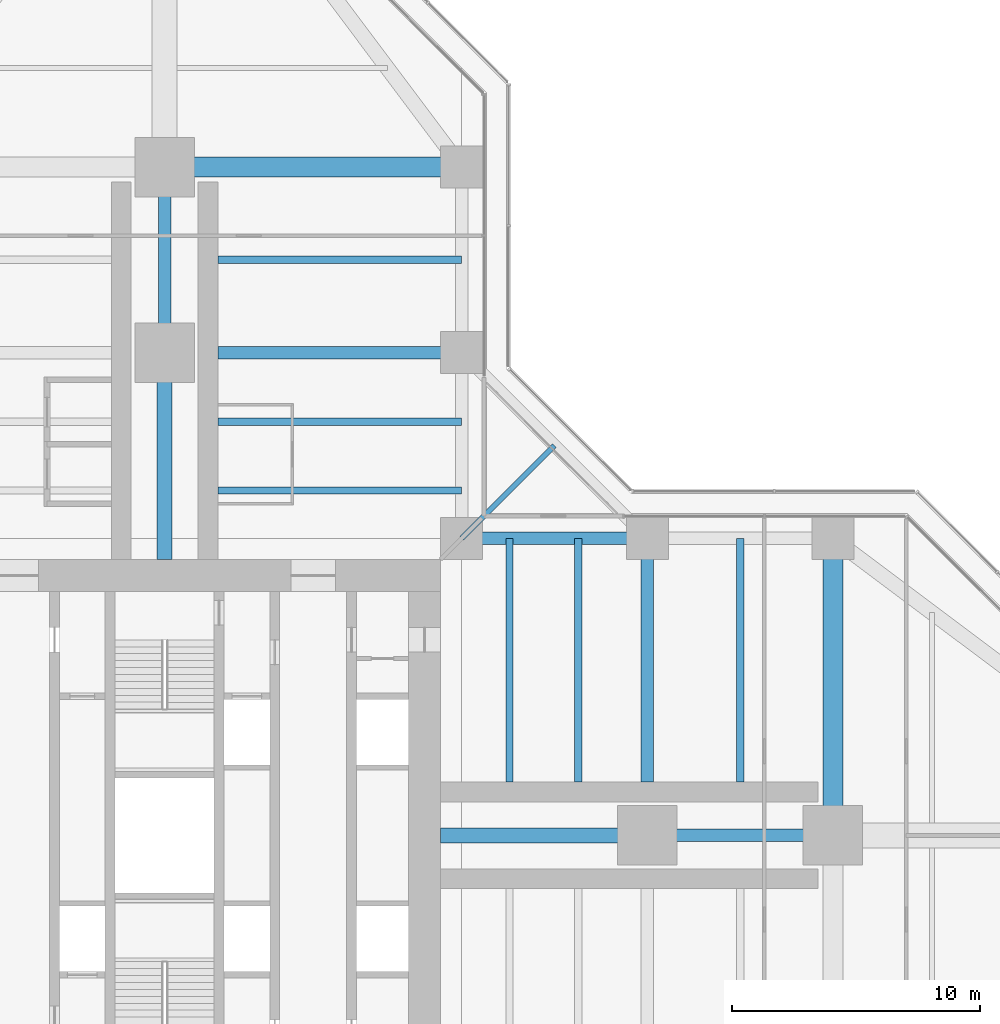
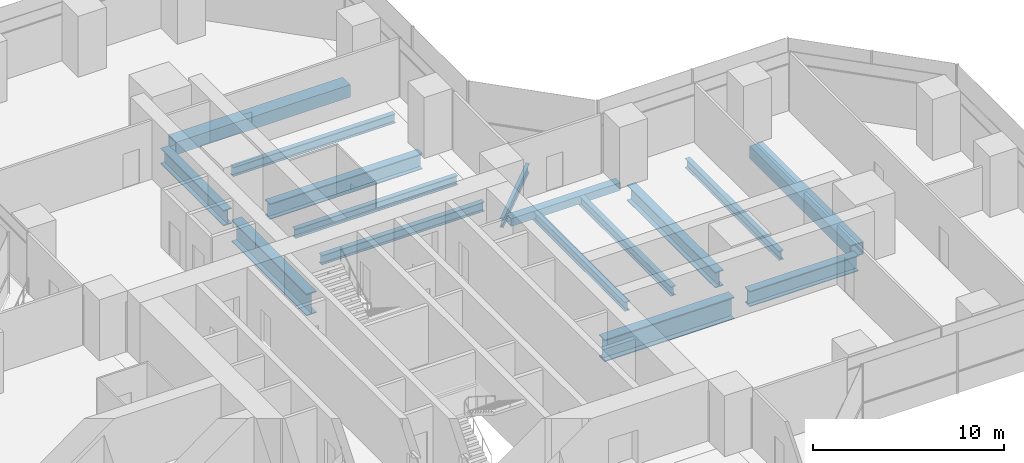
# One storey, part 10 of 22: 16 beams.
"""IFC4 building model written with IfcOpenShell, lengths in metres."""

from ifc_helpers import new_model, si_unit, direction, frame, origin, origin_2d, place, context, subcontext, project, spatial, hollow_rectangle, i_section, extrude, material, material_profile, profile_set, type_object, element, save


model = new_model("IFC4")

# Units and contexts
model_context = context("Model", 3, precision=1e-05, world=origin(), true_north=direction((0.0, 1.0)))
body_context = subcontext(model_context, "Body", "Model", "MODEL_VIEW")
ifc_project = project(units=[si_unit("LENGTHUNIT", "METRE"), si_unit("AREAUNIT", "SQUARE_METRE"), si_unit("VOLUMEUNIT", "CUBIC_METRE"), si_unit("PLANEANGLEUNIT", "RADIAN"), si_unit("MASSUNIT", "GRAM", prefix="KILO")], contexts=[model_context])

# Site, building, storey
site_placement = place(None, origin())
site = spatial("IfcSite", under=ifc_project, at=site_placement, CompositionType="ELEMENT")
building_placement = place(site_placement, origin())
building = spatial("IfcBuilding", under=site, at=building_placement, Name="Mizan Broadcast Tower", CompositionType="ELEMENT")
storey_placement = place(building_placement, frame((0.0, 0.0, 74.699951171875)))
storey = spatial("IfcBuildingStorey", under=building, at=storey_placement, Name="L15", CompositionType="ELEMENT", Elevation=74.699951171875)

# Beams
ifc_material_1 = material(Name="Steel S355", Category="steel")
ifc_material_profile_1 = material_profile(ifc_material_1, hollow_rectangle(XDim=0.5, YDim=0.5, WallThickness=0.030029296875, at=origin_2d()), Name="BOX 500x500x30")
ifc_profile_set_1 = profile_set([ifc_material_profile_1], Name="Steel S355")
beam_type_1 = type_object("IfcBeamType", Name="EDGE BEAM BOX 500x500x30", PredefinedType="SPANDREL", material=ifc_profile_set_1)
beam_1_placement = place(storey_placement, frame((12.449951171875, 12.0, -0.3798828125), z_axis=(1.0, 0.0, 0.0), x_axis=(0.0, 1.0, 0.0)))
element("IfcBeam", 1, at=beam_1_placement, inside=storey, type_object=beam_type_1, Name="Edge beam BOX 500x500x30 L15 east arm", PredefinedType="SPANDREL", context=body_context, shape_type="SweptSolid", body=[
    extrude(hollow_rectangle(XDim=0.5, YDim=0.5, WallThickness=0.030029296875, at=origin_2d()), origin(), (0.0, 0.0, 1.0), 6.60009765625),
])
ifc_material_2 = material(Name="Steel S460", Category="steel")
ifc_material_profile_2 = material_profile(ifc_material_2, hollow_rectangle(XDim=0.800048828125, YDim=0.800048828125, WallThickness=0.050048828125, at=origin_2d()), Name="BOX 800x800x50")
ifc_profile_set_2 = profile_set([ifc_material_profile_2], Name="Steel S460")
beam_type_2 = type_object("IfcBeamType", Name="GIRDER BOX 800x800x50", PredefinedType="BEAM", material=ifc_profile_set_2)
for number, where, z_axis, x_axis, name in (
    (2, (27.0, 11.280029296875, -0.530029296875), (0.0, -1.0, 0.0), (1.0, 0.0, 0.0), "Girder BOX 800x800x50 L15 east arm"),
    (3, (11.280029296875, 27.0, -0.530029296875), (-1.0, 0.0, 0.0), (0.0, -1.0, 0.0), "Girder BOX 800x800x50 L15 north arm"),
):
    element("IfcBeam", number, at=place(storey_placement, frame(where, z_axis=z_axis, x_axis=x_axis)), inside=storey, type_object=beam_type_2, Name=name, PredefinedType="BEAM", context=body_context, shape_type="SweptSolid", body=[
        extrude(hollow_rectangle(XDim=0.800048828125, YDim=0.800048828125, WallThickness=0.050048828125, at=origin_2d()), origin(), (0.0, 0.0, 1.0), 10.56005859375),
    ])
ifc_material_3 = material(Name="Steel S460", Category="steel")
ifc_material_profile_3 = material_profile(ifc_material_3, i_section(OverallWidth=0.5, OverallDepth=1.0, WebThickness=0.02490234375, FlangeThickness=0.050048828125, at=origin_2d()), Name="WPG 1000x500")
ifc_profile_set_3 = profile_set([ifc_material_profile_3], Name="Steel S460")
beam_type_3 = type_object("IfcBeamType", Name="GIRDER WPG 1000x500", PredefinedType="BEAM", material=ifc_profile_set_3)
beam_2_placement = place(storey_placement, frame((19.949951171875, 0.0, -0.6298828125), z_axis=(1.0, 0.0, 0.0), x_axis=(0.0, 1.0, 0.0)))
element("IfcBeam", 4, at=beam_2_placement, inside=storey, type_object=beam_type_3, Name="Girder WPG 1000x500 L15 east arm", PredefinedType="BEAM", context=body_context, shape_type="SweptSolid", body=[
    extrude(i_section(OverallWidth=0.5, OverallDepth=1.0, WebThickness=0.02490234375, FlangeThickness=0.050048828125, at=origin_2d()), origin(), (0.0, 0.0, 1.0), 6.60009765625),
])
beam_3_placement = place(storey_placement, frame((19.5, 11.408935546875, -0.6298828125), z_axis=(0.0, -1.0, 0.0), x_axis=(1.0, 0.0, 0.0)))
element("IfcBeam", 5, at=beam_3_placement, inside=storey, type_object=beam_type_3, Name="Girder WPG 1000x500 L15 east arm", PredefinedType="BEAM", context=body_context, shape_type="SweptSolid", body=[
    extrude(i_section(OverallWidth=0.5, OverallDepth=1.0, WebThickness=0.02490234375, FlangeThickness=0.050048828125, at=origin_2d()), origin(), (0.0, 0.0, 1.0), 9.259033203125),
])
beam_4_placement = place(storey_placement, frame((0.0, 19.949951171875, -0.6298828125), z_axis=(0.0, 1.0, 0.0), x_axis=(-1.0, 0.0, 0.0)))
element("IfcBeam", 6, at=beam_4_placement, inside=storey, type_object=beam_type_3, Name="Girder WPG 1000x500 L15 north arm", PredefinedType="BEAM", context=body_context, shape_type="SweptSolid", body=[
    extrude(i_section(OverallWidth=0.5, OverallDepth=1.0, WebThickness=0.02490234375, FlangeThickness=0.050048828125, at=origin_2d()), origin(), (0.0, 0.0, 1.0), 6.60009765625),
])
beam_5_placement = place(storey_placement, frame((11.408935546875, 19.5, -0.6298828125), z_axis=(-1.0, 0.0, 0.0), x_axis=(0.0, -1.0, 0.0)))
element("IfcBeam", 7, at=beam_5_placement, inside=storey, type_object=beam_type_3, Name="Girder WPG 1000x500 L15 north arm", PredefinedType="BEAM", context=body_context, shape_type="SweptSolid", body=[
    extrude(i_section(OverallWidth=0.5, OverallDepth=1.0, WebThickness=0.02490234375, FlangeThickness=0.050048828125, at=origin_2d()), origin(), (0.0, 0.0, 1.0), 9.259033203125),
])
ifc_material_4 = material(Name="Steel S460", Category="steel")
ifc_material_profile_4 = material_profile(ifc_material_4, i_section(OverallWidth=0.60009765625, OverallDepth=1.39990234375, WebThickness=0.02490234375, FlangeThickness=0.06005859375, at=origin_2d()), Name="WPG 1400x600")
ifc_profile_set_4 = profile_set([ifc_material_profile_4], Name="Steel S460")
beam_type_4 = type_object("IfcBeamType", Name="GIRDER WPG 1400x600", PredefinedType="BEAM", material=ifc_profile_set_4)
for number, where, z_axis, x_axis, name in (
    (8, (11.14990234375, 0.0, -0.829833984375), (1.0, 0.0, 0.0), (0.0, 1.0, 0.0), "Girder WPG 1400x600 L15 east arm"),
    (9, (0.0, 11.14990234375, -0.829833984375), (0.0, 1.0, 0.0), (-1.0, 0.0, 0.0), "Girder WPG 1400x600 L15 north arm"),
):
    element("IfcBeam", number, at=place(storey_placement, frame(where, z_axis=z_axis, x_axis=x_axis)), inside=storey, type_object=beam_type_4, Name=name, PredefinedType="BEAM", context=body_context, shape_type="SweptSolid", body=[
        extrude(i_section(OverallWidth=0.60009765625, OverallDepth=1.39990234375, WebThickness=0.02490234375, FlangeThickness=0.06005859375, at=origin_2d()), origin(), (0.0, 0.0, 1.0), 7.84912109375),
    ])
ifc_material_5 = material(Name="Steel S355", Category="steel")
ifc_material_profile_5 = material_profile(ifc_material_5, i_section(OverallWidth=0.300048828125, OverallDepth=0.590087890625, WebThickness=0.012939453125, FlangeThickness=0.02490234375, FilletRadius=0.027099609375, at=origin_2d()), Name="HEA 600")
ifc_profile_set_5 = profile_set([ifc_material_profile_5], Name="Steel S355")
beam_type_5 = type_object("IfcBeamType", Name="SECONDARY BEAM HEA 600", PredefinedType="JOIST", material=ifc_profile_set_5)
for number, where, z_axis, x_axis, name in (
    (10, (13.933349609375, 12.0, -0.425048828125), (0.0, -1.0, 0.0), (1.0, 0.0, 0.0), "Secondary beam HEA 600 L15 east arm"),
    (11, (16.716552734375, 12.0, -0.425048828125), (0.0, -1.0, 0.0), (1.0, 0.0, 0.0), "Secondary beam HEA 600 L15 east arm"),
    (12, (23.25, 12.0, -0.425048828125), (0.0, -1.0, 0.0), (1.0, 0.0, 0.0), "Secondary beam HEA 600 L15 east arm"),
    (13, (12.0, 13.933349609375, -0.425048828125), (-1.0, 0.0, 0.0), (0.0, -1.0, 0.0), "Secondary beam HEA 600 L15 north arm"),
    (14, (12.0, 16.716552734375, -0.425048828125), (-1.0, 0.0, 0.0), (0.0, -1.0, 0.0), "Secondary beam HEA 600 L15 north arm"),
    (15, (12.0, 23.25, -0.425048828125), (-1.0, 0.0, 0.0), (0.0, -1.0, 0.0), "Secondary beam HEA 600 L15 north arm"),
):
    element("IfcBeam", number, at=place(storey_placement, frame(where, z_axis=z_axis, x_axis=x_axis)), inside=storey, type_object=beam_type_5, Name=name, PredefinedType="JOIST", context=body_context, shape_type="SweptSolid", body=[
        extrude(i_section(OverallWidth=0.300048828125, OverallDepth=0.590087890625, WebThickness=0.012939453125, FlangeThickness=0.02490234375, FilletRadius=0.027099609375, at=origin_2d()), origin(), (0.0, 0.0, 1.0), 9.85009765625),
    ])
ifc_material_6 = material(Name="Steel S355", Category="steel")
ifc_material_profile_6 = material_profile(ifc_material_6, i_section(OverallWidth=0.2099609375, OverallDepth=0.550048828125, WebThickness=0.010986328125, FlangeThickness=0.01708984375, FilletRadius=0.02392578125, at=origin_2d()), Name="IPE 550")
ifc_profile_set_6 = profile_set([ifc_material_profile_6], Name="Steel S355")
beam_type_6 = type_object("IfcBeamType", Name="SECONDARY BEAM IPE 550", PredefinedType="JOIST", material=ifc_profile_set_6)
beam_6_placement = place(storey_placement, frame((12.0, 12.0, -0.405029296875), z_axis=(0.707106781187, 0.707106781187, 0.0), x_axis=(-0.707106781187, 0.707106781187, 0.0)))
element("IfcBeam", 16, at=beam_6_placement, inside=storey, type_object=beam_type_6, Name="Winter garden beam L15 E", PredefinedType="JOIST", context=body_context, shape_type="SweptSolid", body=[
    extrude(i_section(OverallWidth=0.2099609375, OverallDepth=0.550048828125, WebThickness=0.010986328125, FlangeThickness=0.01708984375, FilletRadius=0.02392578125, at=origin_2d()), origin(), (0.0, 0.0, 1.0), 5.30322265625),
])

save(model, "model.ifc")
